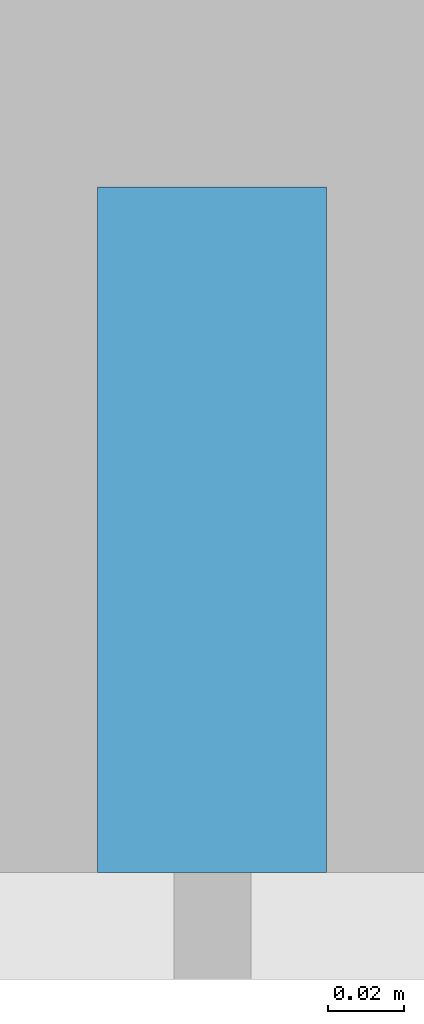
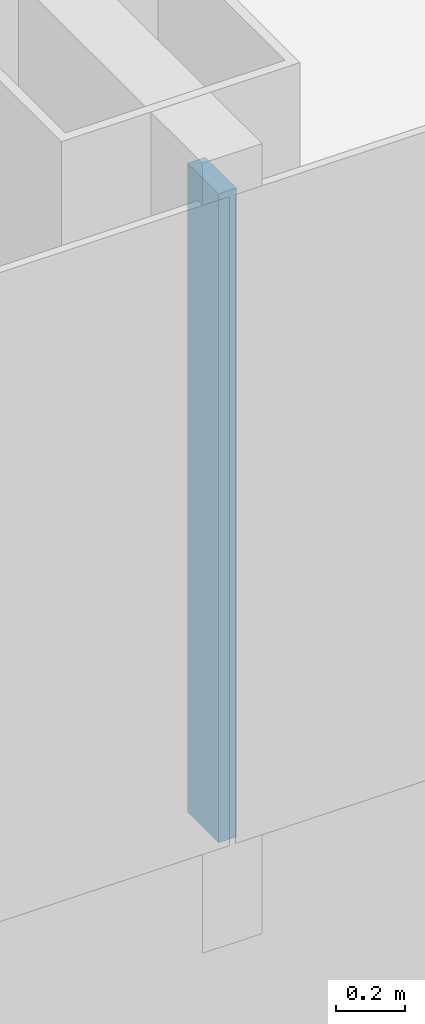
# One storey, part 6 of 29: 1 member, 1 element without a shape of its own.
"""IFC4 building model written with IfcOpenShell, lengths in metres."""

from ifc_helpers import new_model, si_unit, direction, frame, origin, origin_2d, place, context, subcontext, project, spatial, rectangle, extrude, material, layer, layer_set, material_profile, profile_set, type_object, element, aggregate, save


model = new_model("IFC4")

# Units and contexts
model_context = context("Model", 3, precision=1e-05, world=origin(), true_north=direction((0.0, 1.0)))
body_context = subcontext(model_context, "Body", "Model", "MODEL_VIEW")
ifc_project = project(units=[si_unit("LENGTHUNIT", "METRE"), si_unit("AREAUNIT", "SQUARE_METRE"), si_unit("VOLUMEUNIT", "CUBIC_METRE"), si_unit("PLANEANGLEUNIT", "RADIAN"), si_unit("MASSUNIT", "GRAM", prefix="KILO")], contexts=[model_context])

# Site, building, storey
site_placement = place(None, origin())
site = spatial("IfcSite", under=ifc_project, at=site_placement, CompositionType="ELEMENT")
building_placement = place(site_placement, origin())
building = spatial("IfcBuilding", under=site, at=building_placement, Name="Hakoniwa Tower and Hamabe Station Hall", CompositionType="ELEMENT")
storey_placement = place(building_placement, frame((0.0, 0.0, 78.60009765625)))
storey = spatial("IfcBuildingStorey", under=building, at=storey_placement, Name="L21", CompositionType="ELEMENT", Elevation=78.60009765625)

# Curtain wall, member
ifc_material_1 = material(Name="Dark low-e laminated glass", Category="glass")
ifc_layer = layer(ifc_material_1, 0.199951171875)
ifc_layer_set = layer_set([ifc_layer], Name="CW-1 UNITISED GUEST")
curtain_wall_type = type_object("IfcCurtainWallType", Name="CW-1 UNITISED GUEST", PredefinedType="NOTDEFINED", material=ifc_layer_set)
curtain_wall_placement = place(storey_placement, origin())
curtain_wall = element("IfcCurtainWall", 1, at=curtain_wall_placement, inside=storey, type_object=curtain_wall_type, Name="CW-1 curtain wall", PredefinedType="NOTDEFINED")
ifc_material_2 = material(Name="Aluminium 6063-T5 black anodised", Category="aluminium")
ifc_material_profile = material_profile(ifc_material_2, rectangle(XDim=0.06005859375, YDim=0.179931640625, at=origin_2d()), Name="CW-1 MULLION 60X180")
ifc_profile_set = profile_set([ifc_material_profile], Name="Aluminium 6063-T5 black anodised")
member_type = type_object("IfcMemberType", Name="CW-1 MULLION 60X180", PredefinedType="MULLION", material=ifc_profile_set)
member_placement = place(storey_placement, frame((8.39990234375, -15.431884765625, 0.349853515625), z_axis=(0.0, 0.0, 1.0), x_axis=(1.0, 0.0, 0.0)))
member = element("IfcMember", 2, at=member_placement, type_object=member_type, Name="CW-1 mullion", PredefinedType="MULLION", context=body_context, shape_type="SweptSolid", body=[
    extrude(rectangle(XDim=0.06005859375, YDim=0.179931640625, at=origin_2d()), origin(), (0.0, 0.0, 1.0), 2.300048828125),
])
aggregate(curtain_wall, [member])

save(model, "model.ifc")
